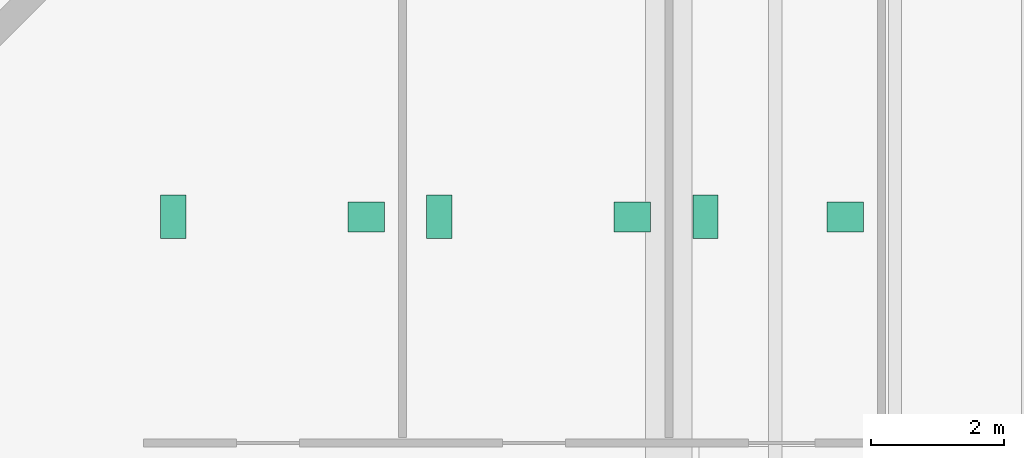
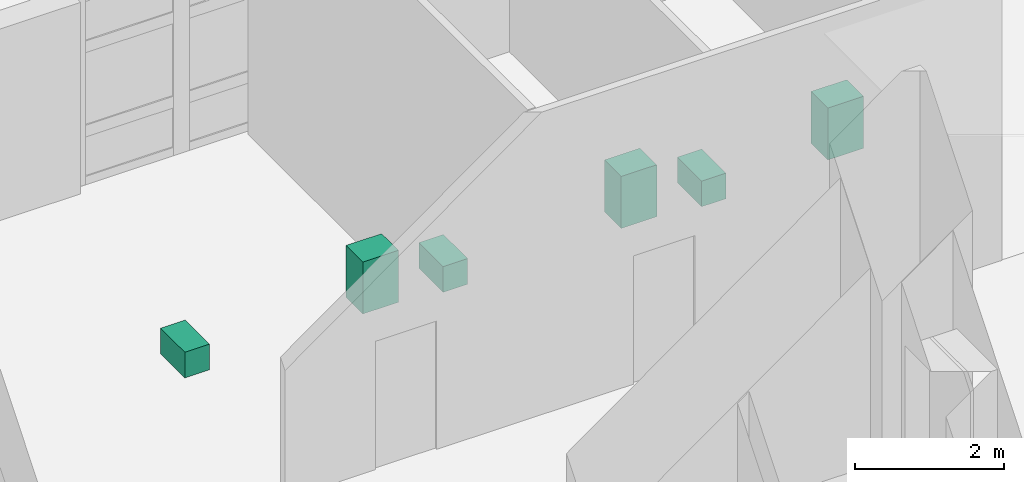
# One storey, part 11 of 12: 6 sanitary terminals.
"""IFC4 building model written with IfcOpenShell, lengths in metres."""

from ifc_helpers import new_model, si_unit, direction, frame, origin, origin_2d, place, context, subcontext, project, spatial, rectangle, extrude, material, type_object, element, save


model = new_model("IFC4")

# Units and contexts
model_context = context("Model", 3, precision=1e-05, world=origin(), true_north=direction((0.0, 1.0)))
body_context = subcontext(model_context, "Body", "Model", "MODEL_VIEW")
ifc_project = project(units=[si_unit("LENGTHUNIT", "METRE"), si_unit("AREAUNIT", "SQUARE_METRE"), si_unit("VOLUMEUNIT", "CUBIC_METRE"), si_unit("PLANEANGLEUNIT", "RADIAN"), si_unit("MASSUNIT", "GRAM", prefix="KILO")], contexts=[model_context])

# Site, building, storey
site_placement = place(None, origin())
site = spatial("IfcSite", under=ifc_project, at=site_placement, CompositionType="ELEMENT")
building_placement = place(site_placement, origin())
building = spatial("IfcBuilding", under=site, at=building_placement, Name="Kranthara Brick Stack", CompositionType="ELEMENT")
storey_placement = place(building_placement, origin())
storey = spatial("IfcBuildingStorey", under=building, at=storey_placement, Name="L00", CompositionType="ELEMENT", Elevation=0.0)

# Sanitary terminals
ifc_material_1 = material(Name="Vitreous china sanitary porcelain", Category="other")
sanitary_terminal_type_1 = type_object("IfcSanitaryTerminalType", Name="SAN-BASIN", PredefinedType="WASHHANDBASIN", material=ifc_material_1)
for number, where, z_axis, x_axis, name in (
    (1, (16.25, 39.89990234375, 0.0), (0.0, 0.0, 1.0), (1.0, 0.0, 0.0), "L00 Washbasin 1"),
    (2, (20.25, 39.89990234375, 0.0), (0.0, 0.0, 1.0), (1.0, 0.0, 0.0), "L00 Washbasin 2"),
    (3, (23.449951171875, 39.89990234375, 0.0), (0.0, 0.0, 1.0), (1.0, 0.0, 0.0), "L00 Washbasin 3"),
):
    element("IfcSanitaryTerminal", number, at=place(storey_placement, frame(where, z_axis=z_axis, x_axis=x_axis)), inside=storey, type_object=sanitary_terminal_type_1, Name=name, PredefinedType="WASHHANDBASIN", context=body_context, shape_type="SweptSolid", body=[
        extrude(rectangle(XDim=0.550048828125, YDim=0.449951171875, at=origin_2d()), origin(), (0.0, 0.0, 1.0), 0.85009765625),
    ])
ifc_material_2 = material(Name="Vitreous china sanitary porcelain", Category="other")
sanitary_terminal_type_2 = type_object("IfcSanitaryTerminalType", Name="SAN-WC-PAN", PredefinedType="TOILETPAN", material=ifc_material_2)
for number, where, z_axis, x_axis, name in (
    (4, (13.35009765625, 39.89990234375, 0.0), (0.0, 0.0, 1.0), (1.0, 0.0, 0.0), "L00 WC Pan 1"),
    (5, (17.35009765625, 39.89990234375, 0.0), (0.0, 0.0, 1.0), (1.0, 0.0, 0.0), "L00 WC Pan 2"),
    (6, (21.35009765625, 39.89990234375, 0.0), (0.0, 0.0, 1.0), (1.0, 0.0, 0.0), "L00 WC Pan 3"),
):
    element("IfcSanitaryTerminal", number, at=place(storey_placement, frame(where, z_axis=z_axis, x_axis=x_axis)), inside=storey, type_object=sanitary_terminal_type_2, Name=name, PredefinedType="TOILETPAN", context=body_context, shape_type="SweptSolid", body=[
        extrude(rectangle(XDim=0.3798828125, YDim=0.64990234375, at=origin_2d()), origin(), (0.0, 0.0, 1.0), 0.419921875),
    ])

save(model, "model.ifc")
